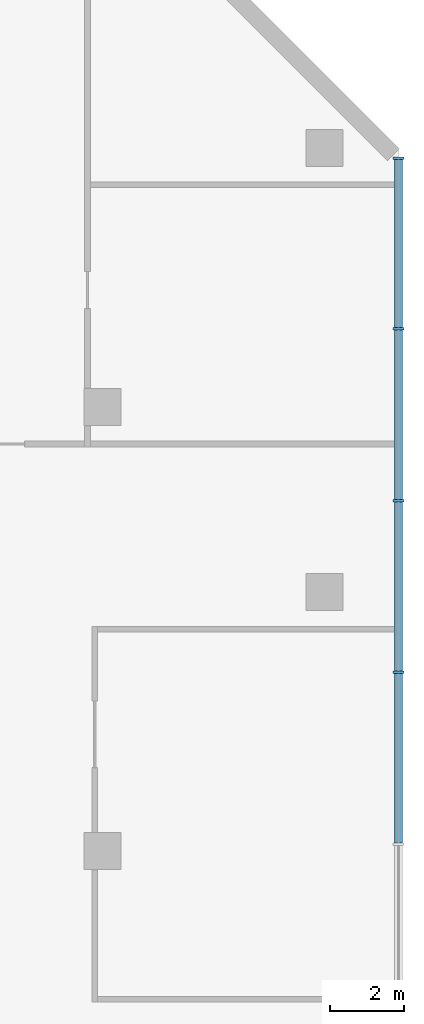
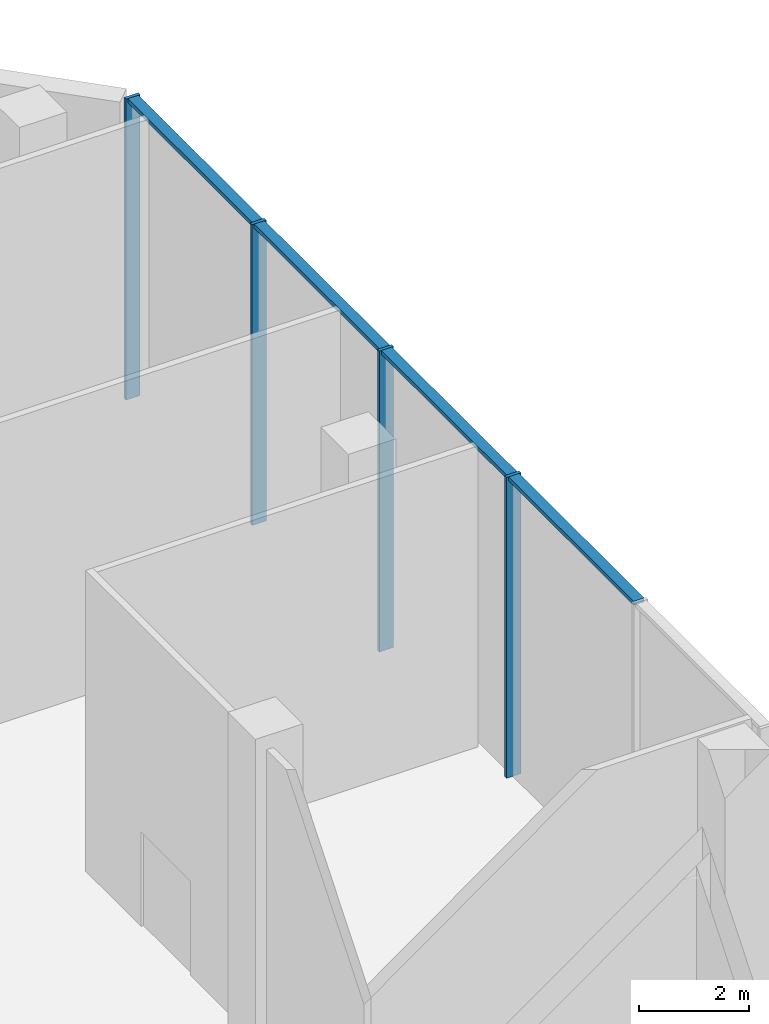
# One storey, part 17 of 41: 8 members, 1 element without a shape of its own.
"""IFC4 building model written with IfcOpenShell, lengths in metres."""

from ifc_helpers import new_model, si_unit, direction, frame, origin, origin_2d, place, context, subcontext, project, spatial, rectangle, extrude, material, material_profile, profile_set, type_object, element, aggregate, save


model = new_model("IFC4")

# Units and contexts
model_context = context("Model", 3, precision=1e-05, world=origin(), true_north=direction((0.0, 1.0)))
body_context = subcontext(model_context, "Body", "Model", "MODEL_VIEW")
ifc_project = project(units=[si_unit("LENGTHUNIT", "METRE"), si_unit("AREAUNIT", "SQUARE_METRE"), si_unit("VOLUMEUNIT", "CUBIC_METRE"), si_unit("PLANEANGLEUNIT", "RADIAN"), si_unit("MASSUNIT", "GRAM", prefix="KILO")], contexts=[model_context])

# Site, building, storey
site_placement = place(None, origin())
site = spatial("IfcSite", under=ifc_project, at=site_placement, CompositionType="ELEMENT")
building_placement = place(site_placement, origin())
building = spatial("IfcBuilding", under=site, at=building_placement, Name="Wharfspan Tower", CompositionType="ELEMENT")
storey_placement = place(building_placement, frame((0.0, 0.0, 8.0)))
storey = spatial("IfcBuildingStorey", under=building, at=storey_placement, Name="L01", CompositionType="ELEMENT", Elevation=8.0)

# Curtain wall, members
ifc_material = material(Name="Aluminium 6063-T6", Category="aluminium")
curtain_wall_type = type_object("IfcCurtainWallType", Name="CURTAIN WALL ARENA STICK WALL", PredefinedType="NOTDEFINED", material=ifc_material)
curtain_wall_placement = place(storey_placement, origin())
curtain_wall = element("IfcCurtainWall", 1, at=curtain_wall_placement, inside=storey, type_object=curtain_wall_type, Name="Concourse stick wall PF3.3", PredefinedType="NOTDEFINED")
ifc_material_profile_1 = material_profile(ifc_material, rectangle(XDim=0.300049, YDim=0.070068, at=origin_2d()))
ifc_profile_set_1 = profile_set([ifc_material_profile_1], Name="Aluminium 6063-T6")
member_type_1 = type_object("IfcMemberType", Name="MULLION ARENA STICK WALL 70x300", PredefinedType="MULLION", material=ifc_profile_set_1)
member_1_placement = place(storey_placement, frame((108.0, 35.830078, 0.0), z_axis=(0.0, 0.0, 1.0), x_axis=(-1.0, 0.0, 0.0)))
member_1 = element("IfcMember", 2, at=member_1_placement, type_object=member_type_1, Name="Concourse stick wall PF3.3 mullion 3", PredefinedType="MULLION", context=body_context, shape_type="SweptSolid", body=[
    extrude(rectangle(XDim=0.300049, YDim=0.070068, at=origin_2d()), origin(), (0.0, 0.0, 1.0), 6.699951),
])
member_2_placement = place(storey_placement, frame((108.0, 40.469971, 0.0), z_axis=(0.0, 0.0, 1.0), x_axis=(-1.0, 0.0, 0.0)))
member_2 = element("IfcMember", 3, at=member_2_placement, type_object=member_type_1, Name="Concourse stick wall PF3.3 mullion 4", PredefinedType="MULLION", context=body_context, shape_type="SweptSolid", body=[
    extrude(rectangle(XDim=0.300049, YDim=0.070068, at=origin_2d()), origin(), (0.0, 0.0, 1.0), 6.699951),
])
member_3_placement = place(storey_placement, frame((108.0, 45.110107, 0.0), z_axis=(0.0, 0.0, 1.0), x_axis=(-1.0, 0.0, 0.0)))
member_3 = element("IfcMember", 4, at=member_3_placement, type_object=member_type_1, Name="Concourse stick wall PF3.3 mullion 5", PredefinedType="MULLION", context=body_context, shape_type="SweptSolid", body=[
    extrude(rectangle(XDim=0.300049, YDim=0.070068, at=origin_2d()), origin(), (0.0, 0.0, 1.0), 6.699951),
])
member_4_placement = place(storey_placement, frame((108.0, 49.715088, 0.0), z_axis=(0.0, 0.0, 1.0), x_axis=(-1.0, 0.0, 0.0)))
member_4 = element("IfcMember", 5, at=member_4_placement, type_object=member_type_1, Name="Concourse stick wall PF3.3 mullion 6", PredefinedType="MULLION", context=body_context, shape_type="SweptSolid", body=[
    extrude(rectangle(XDim=0.300049, YDim=0.070068, at=origin_2d()), origin(), (0.0, 0.0, 1.0), 6.699951),
])
ifc_material_profile_2 = material_profile(ifc_material, rectangle(XDim=0.219971, YDim=0.090088, at=origin_2d()))
ifc_profile_set_2 = profile_set([ifc_material_profile_2], Name="Aluminium 6063-T6")
member_type_2 = type_object("IfcMemberType", Name="TRANSOM ARENA STICK WALL 90x220", PredefinedType="USERDEFINED", material=ifc_profile_set_2)
member_5_placement = place(storey_placement, frame((108.0, 31.225098, 6.655029), z_axis=(0.0, 1.0, 0.0), x_axis=(-1.0, 0.0, 0.0)))
member_5 = element("IfcMember", 6, at=member_5_placement, type_object=member_type_2, Name="Concourse stick wall PF3.3 transom 2", ObjectType="TRANSOM", PredefinedType="USERDEFINED", context=body_context, shape_type="SweptSolid", body=[
    extrude(rectangle(XDim=0.219971, YDim=0.090088, at=origin_2d()), origin(), (0.0, 0.0, 1.0), 4.569824),
])
member_6_placement = place(storey_placement, frame((108.0, 35.86499, 6.655029), z_axis=(0.0, 1.0, 0.0), x_axis=(-1.0, 0.0, 0.0)))
member_6 = element("IfcMember", 7, at=member_6_placement, type_object=member_type_2, Name="Concourse stick wall PF3.3 transom 3", ObjectType="TRANSOM", PredefinedType="USERDEFINED", context=body_context, shape_type="SweptSolid", body=[
    extrude(rectangle(XDim=0.219971, YDim=0.090088, at=origin_2d()), origin(), (0.0, 0.0, 1.0), 4.570068),
])
member_7_placement = place(storey_placement, frame((108.0, 40.504883, 6.655029), z_axis=(0.0, 1.0, 0.0), x_axis=(-1.0, 0.0, 0.0)))
member_7 = element("IfcMember", 8, at=member_7_placement, type_object=member_type_2, Name="Concourse stick wall PF3.3 transom 4", ObjectType="TRANSOM", PredefinedType="USERDEFINED", context=body_context, shape_type="SweptSolid", body=[
    extrude(rectangle(XDim=0.219971, YDim=0.090088, at=origin_2d()), origin(), (0.0, 0.0, 1.0), 4.570068),
])
member_8_placement = place(storey_placement, frame((108.0, 45.14502, 6.655029), z_axis=(0.0, 1.0, 0.0), x_axis=(-1.0, 0.0, 0.0)))
member_8 = element("IfcMember", 9, at=member_8_placement, type_object=member_type_2, Name="Concourse stick wall PF3.3 transom 5", ObjectType="TRANSOM", PredefinedType="USERDEFINED", context=body_context, shape_type="SweptSolid", body=[
    extrude(rectangle(XDim=0.219971, YDim=0.090088, at=origin_2d()), origin(), (0.0, 0.0, 1.0), 4.534912),
])
aggregate(curtain_wall, [member_1, member_2, member_3, member_4, member_5, member_6, member_7, member_8])

save(model, "model.ifc")
